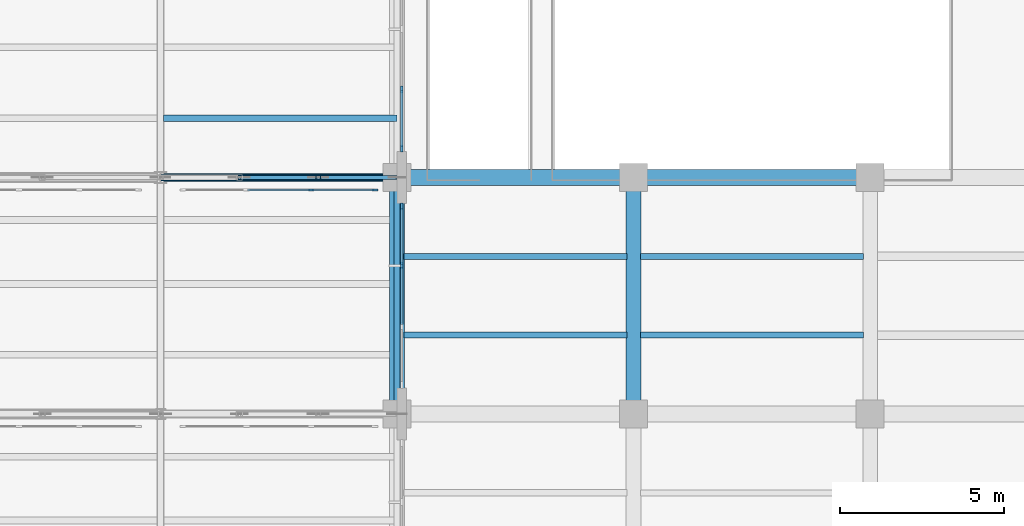
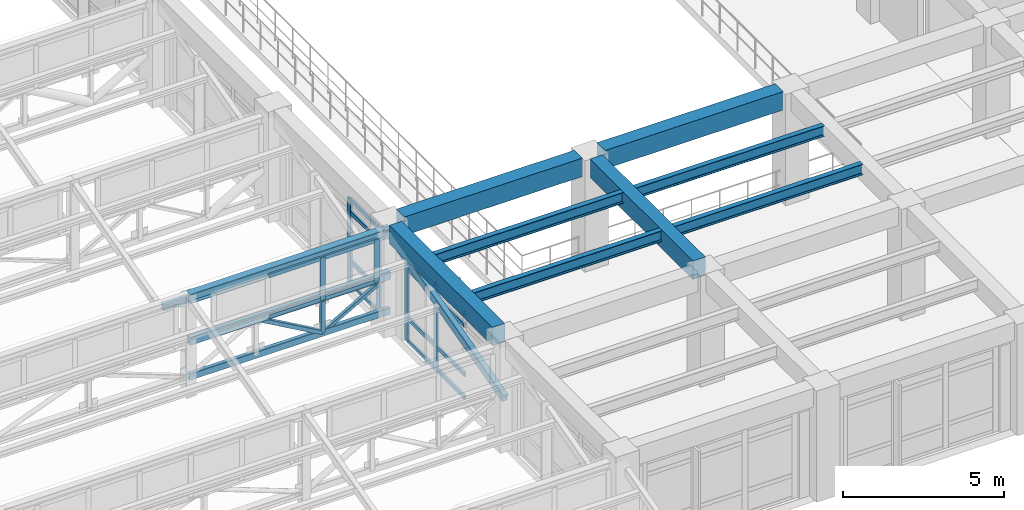
# One storey, part 26 of 98: 27 members, 11 beams, 3 elements without a shape of their own.
"""IFC4 building model written with IfcOpenShell, lengths in metres."""

from ifc_helpers import new_model, si_unit, direction, frame, origin, origin_2d, place, context, subcontext, project, spatial, rectangle, hollow_rectangle, i_section, extrude, material, layer, layer_set, material_profile, profile_set, type_object, element, aggregate, save


model = new_model("IFC4")

# Units and contexts
model_context = context("Model", 3, precision=1e-05, world=origin(), true_north=direction((0.0, 1.0)))
body_context = subcontext(model_context, "Body", "Model", "MODEL_VIEW")
ifc_project = project(units=[si_unit("LENGTHUNIT", "METRE"), si_unit("AREAUNIT", "SQUARE_METRE"), si_unit("VOLUMEUNIT", "CUBIC_METRE"), si_unit("PLANEANGLEUNIT", "RADIAN"), si_unit("MASSUNIT", "GRAM", prefix="KILO")], contexts=[model_context])

# Site, building, storey
site_placement = place(None, origin())
site = spatial("IfcSite", under=ifc_project, at=site_placement, CompositionType="ELEMENT")
building_placement = place(site_placement, origin())
building = spatial("IfcBuilding", under=site, at=building_placement, Name="Solenvale Faculty of Natural Sciences", CompositionType="ELEMENT")
storey_placement = place(building_placement, frame((0.0, 0.0, 9.0)))
storey = spatial("IfcBuildingStorey", under=building, at=storey_placement, Name="L02", CompositionType="ELEMENT", Elevation=9.0)

# Beams
ifc_material_1 = material(Name="Steel S355", Category="steel")
ifc_material_profile_1 = material_profile(ifc_material_1, i_section(OverallWidth=0.202880859375, OverallDepth=0.202880859375, WebThickness=0.007080078125, FlangeThickness=0.010986328125, FilletRadius=0.010009765625, at=origin_2d()), Name="W200x46")
ifc_profile_set_1 = profile_set([ifc_material_profile_1], Name="Steel S355")
beam_type_1 = type_object("IfcBeamType", Name="BM-PRL-W200x46", PredefinedType="JOIST", material=ifc_profile_set_1)
beam_1_placement = place(storey_placement, frame((28.89599609375, 30.60009765625, 2.202392578125), z_axis=(1.0, 0.0, 0.0), x_axis=(0.0, 1.0, 0.0)))
element("IfcBeam", 1, at=beam_1_placement, inside=storey, type_object=beam_type_1, Name="V1 Sawtooth Purlin 5.2.1", PredefinedType="JOIST", context=body_context, shape_type="SweptSolid", body=[
    extrude(i_section(OverallWidth=0.202880859375, OverallDepth=0.202880859375, WebThickness=0.007080078125, FlangeThickness=0.010986328125, FilletRadius=0.010009765625, at=origin_2d()), origin(), (0.0, 0.0, 1.0), 7.10400390625),
])
ifc_material_profile_2 = material_profile(ifc_material_1, hollow_rectangle(XDim=0.202880859375, YDim=0.304931640625, WallThickness=0.0126953125, InnerFilletRadius=0.0126953125, OuterFilletRadius=0.025390625, at=origin_2d()), Name="HSS305x203x13")
ifc_profile_set_2 = profile_set([ifc_material_profile_2], Name="Steel S355")
beam_type_2 = type_object("IfcBeamType", Name="BM-RAF-HSS305", PredefinedType="BEAM", material=ifc_profile_set_2)
beam_2_placement = place(storey_placement, frame((36.0, 21.60009765625, 1.719970703125), z_axis=(0.0, 0.965901991803, 0.258907980238), x_axis=(-1.0, 0.0, 0.0)))
element("IfcBeam", 2, at=beam_2_placement, inside=storey, type_object=beam_type_2, Name="V1 Sawtooth End Rafter 4.2.E", PredefinedType="BEAM", context=body_context, shape_type="SweptSolid", body=[
    extrude(hollow_rectangle(XDim=0.202880859375, YDim=0.304931640625, WallThickness=0.0126953125, InnerFilletRadius=0.0126953125, OuterFilletRadius=0.025390625, at=origin_2d()), origin(), (0.0, 0.0, 1.0), 7.4541015625),
])
ifc_material_2 = material(Name="Concrete 40 MPa", Category="concrete")
ifc_material_profile_3 = material_profile(ifc_material_2, rectangle(XDim=0.449951171875, YDim=0.699951171875, at=origin_2d()), Name="RC-BM-450x700")
ifc_profile_set_3 = profile_set([ifc_material_profile_3], Name="Concrete 40 MPa")
beam_type_3 = type_object("IfcBeamType", Name="BM-RC-450x700", PredefinedType="BEAM", material=ifc_profile_set_3)
for number, where, z_axis, x_axis, name in (
    (3, (36.0, 22.0048828125, 3.8701171875), (0.0, 1.0, 0.0), (-1.0, 0.0, 0.0), "L02 Y-Girder X36.0 (21.6..28.8)"),
    (4, (43.199951171875, 22.0048828125, 3.8701171875), (0.0, 1.0, 0.0), (-1.0, 0.0, 0.0), "L02 Y-Girder X43.2 (21.6..28.8)"),
):
    element("IfcBeam", number, at=place(storey_placement, frame(where, z_axis=z_axis, x_axis=x_axis)), inside=storey, type_object=beam_type_3, Name=name, PredefinedType="BEAM", context=body_context, shape_type="SweptSolid", body=[
        extrude(rectangle(XDim=0.449951171875, YDim=0.699951171875, at=origin_2d()), origin(), (0.0, 0.0, 1.0), 6.39013671875),
    ])
ifc_material_profile_4 = material_profile(ifc_material_2, rectangle(XDim=0.5, YDim=0.699951171875, at=origin_2d()), Name="RC-BM-500x700")
ifc_profile_set_4 = profile_set([ifc_material_profile_4], Name="Concrete 40 MPa")
beam_type_4 = type_object("IfcBeamType", Name="BM-RC-500x700", PredefinedType="BEAM", material=ifc_profile_set_4)
beam_3_placement = place(storey_placement, frame((36.405029296875, 28.800048828125, 3.8701171875), z_axis=(1.0, 0.0, 0.0), x_axis=(0.0, 1.0, 0.0)))
element("IfcBeam", 5, at=beam_3_placement, inside=storey, type_object=beam_type_4, Name="L02 X-Girder Y28.8 (36.0..43.2)", PredefinedType="BEAM", context=body_context, shape_type="SweptSolid", body=[
    extrude(rectangle(XDim=0.5, YDim=0.699951171875, at=origin_2d()), origin(), (0.0, 0.0, 1.0), 6.389892578125),
])
beam_4_placement = place(storey_placement, frame((43.60498046875, 28.800048828125, 3.8701171875), z_axis=(1.0, 0.0, 0.0), x_axis=(0.0, 1.0, 0.0)))
element("IfcBeam", 6, at=beam_4_placement, inside=storey, type_object=beam_type_4, Name="L02 X-Girder Y28.8 (43.2..50.4)", PredefinedType="BEAM", context=body_context, shape_type="SweptSolid", body=[
    extrude(rectangle(XDim=0.5, YDim=0.699951171875, at=origin_2d()), origin(), (0.0, 0.0, 1.0), 6.39013671875),
])
ifc_material_profile_5 = material_profile(ifc_material_1, i_section(OverallWidth=0.2548828125, OverallDepth=0.35693359375, WebThickness=0.010498046875, FlangeThickness=0.018310546875, FilletRadius=0.014892578125, at=origin_2d()), Name="W360x101")
ifc_profile_set_5 = profile_set([ifc_material_profile_5], Name="Steel S355")
beam_type_5 = type_object("IfcBeamType", Name="BM-STL-W360x101", PredefinedType="JOIST", material=ifc_profile_set_5)
beam_5_placement = place(storey_placement, frame((28.800048828125, 28.800048828125, 3.68896484375), z_axis=(1.0, 0.0, 0.0), x_axis=(0.0, 1.0, 0.0)))
element("IfcBeam", 7, at=beam_5_placement, inside=storey, type_object=beam_type_5, Name="V1 Sawtooth Clerestory Ridge Beam 4.2", PredefinedType="JOIST", context=body_context, shape_type="SweptSolid", body=[
    extrude(i_section(OverallWidth=0.2548828125, OverallDepth=0.35693359375, WebThickness=0.010498046875, FlangeThickness=0.018310546875, FilletRadius=0.014892578125, at=origin_2d()), origin(), (0.0, 0.0, 1.0), 7.199951171875),
])
ifc_material_profile_6 = material_profile(ifc_material_1, i_section(OverallWidth=0.178955078125, OverallDepth=0.409912109375, WebThickness=0.0087890625, FlangeThickness=0.014404296875, FilletRadius=0.01611328125, at=origin_2d()), Name="W410x67")
ifc_profile_set_6 = profile_set([ifc_material_profile_6], Name="Steel S355")
beam_type_6 = type_object("IfcBeamType", Name="BM-STL-W410x67", PredefinedType="JOIST", material=ifc_profile_set_6)
for number, where, z_axis, x_axis, name in (
    (8, (43.405029296875, 24.0, 4.014892578125), (1.0, 0.0, 0.0), (0.0, 1.0, 0.0), "L02 Composite Floor Joist (7,4).1"),
    (9, (43.405029296875, 26.39990234375, 4.014892578125), (1.0, 0.0, 0.0), (0.0, 1.0, 0.0), "L02 Composite Floor Joist (7,4).2"),
):
    element("IfcBeam", number, at=place(storey_placement, frame(where, z_axis=z_axis, x_axis=x_axis)), inside=storey, type_object=beam_type_6, Name=name, PredefinedType="JOIST", context=body_context, shape_type="SweptSolid", body=[
        extrude(i_section(OverallWidth=0.178955078125, OverallDepth=0.409912109375, WebThickness=0.0087890625, FlangeThickness=0.014404296875, FilletRadius=0.01611328125, at=origin_2d()), origin(), (0.0, 0.0, 1.0), 6.7900390625),
    ])
ifc_material_profile_7 = material_profile(ifc_material_1, i_section(OverallWidth=0.180908203125, OverallDepth=0.4169921875, WebThickness=0.010986328125, FlangeThickness=0.018310546875, FilletRadius=0.01611328125, at=origin_2d()), Name="W410x85")
ifc_profile_set_7 = profile_set([ifc_material_profile_7], Name="Steel S355")
beam_type_7 = type_object("IfcBeamType", Name="BM-STL-W410x85", PredefinedType="JOIST", material=ifc_profile_set_7)
for number, where, z_axis, x_axis, name in (
    (10, (36.205078125, 24.0, 4.011474609375), (1.0, 0.0, 0.0), (0.0, 1.0, 0.0), "L02 Composite Floor Joist (6,4).1"),
    (11, (36.205078125, 26.39990234375, 4.011474609375), (1.0, 0.0, 0.0), (0.0, 1.0, 0.0), "L02 Composite Floor Joist (6,4).2"),
):
    element("IfcBeam", number, at=place(storey_placement, frame(where, z_axis=z_axis, x_axis=x_axis)), inside=storey, type_object=beam_type_7, Name=name, PredefinedType="JOIST", context=body_context, shape_type="SweptSolid", body=[
        extrude(i_section(OverallWidth=0.180908203125, OverallDepth=0.4169921875, WebThickness=0.010986328125, FlangeThickness=0.018310546875, FilletRadius=0.01611328125, at=origin_2d()), origin(), (0.0, 0.0, 1.0), 6.7900390625),
    ])

# Curtain wall, members
ifc_material_3 = material(Name="Anodised bronze aluminium", Category="aluminium")
ifc_layer_1 = layer(ifc_material_3, 0.1650390625)
ifc_layer_set_1 = layer_set([ifc_layer_1], Name="Anodised bronze aluminium")
curtain_wall_type_1 = type_object("IfcCurtainWallType", Name="CW-SAW-CLR", PredefinedType="USERDEFINED", material=ifc_layer_set_1)
curtain_wall_1_placement = place(storey_placement, origin())
curtain_wall_1 = element("IfcCurtainWall", 12, at=curtain_wall_1_placement, inside=storey, type_object=curtain_wall_type_1, Name="L02 Curtain Wall SAW-V1-CW-4-2", ObjectType="NORTH LIGHT CLERESTORY", PredefinedType="USERDEFINED")
ifc_material_profile_8 = material_profile(ifc_material_3, rectangle(XDim=0.06494140625, YDim=0.175048828125, at=origin_2d()), Name="ALU-MUL-65x175")
ifc_profile_set_8 = profile_set([ifc_material_profile_8], Name="Anodised bronze aluminium")
member_type_1 = type_object("IfcMemberType", Name="CWM-ALU-65x175", PredefinedType="MULLION", material=ifc_profile_set_8)
member_1_placement = place(storey_placement, frame((35.327392578125, 28.419921875, 2.22998046875), z_axis=(0.0, 0.0, 1.0), x_axis=(0.0, -1.0, 0.0)))
member_1 = element("IfcMember", 13, at=member_1_placement, type_object=member_type_1, Name="CW-05 mullion 1", PredefinedType="MULLION", context=body_context, shape_type="SweptSolid", body=[
    extrude(rectangle(XDim=0.06494140625, YDim=0.175048828125, at=origin_2d()), origin(), (0.0, 0.0, 1.0), 1.610107421875),
])
member_2_placement = place(storey_placement, frame((33.38671875, 28.419921875, 2.22998046875), z_axis=(0.0, 0.0, 1.0), x_axis=(0.0, -1.0, 0.0)))
member_2 = element("IfcMember", 14, at=member_2_placement, type_object=member_type_1, Name="CW-05 mullion 2", PredefinedType="MULLION", context=body_context, shape_type="SweptSolid", body=[
    extrude(rectangle(XDim=0.06494140625, YDim=0.175048828125, at=origin_2d()), origin(), (0.0, 0.0, 1.0), 1.610107421875),
])

ifc_layer_2 = layer(ifc_material_3, 0.215087890625)
ifc_layer_set_2 = layer_set([ifc_layer_2], Name="Anodised bronze aluminium")
curtain_wall_type_2 = type_object("IfcCurtainWallType", Name="CW-ATR-UNIT", PredefinedType="USERDEFINED", material=ifc_layer_set_2)
curtain_wall_2_placement = place(storey_placement, origin())
curtain_wall_2 = element("IfcCurtainWall", 15, at=curtain_wall_2_placement, inside=storey, type_object=curtain_wall_type_2, Name="L02 Curtain Wall CW-L02-P1-E9-B9", ObjectType="UNITISED CURTAIN WALL", PredefinedType="USERDEFINED")
ifc_material_profile_9 = material_profile(ifc_material_3, rectangle(XDim=0.074951171875, YDim=0.2099609375, at=origin_2d()), Name="ALU-MUL-75x210")
ifc_profile_set_9 = profile_set([ifc_material_profile_9], Name="Anodised bronze aluminium")
member_type_2 = type_object("IfcMemberType", Name="CWM-ALU-75x210", PredefinedType="MULLION", material=ifc_profile_set_9)
member_3_placement = place(storey_placement, frame((36.142578125, 31.4833984375, 0.0), z_axis=(0.0, 0.0, 1.0), x_axis=(1.0, 0.0, 0.0)))
member_3 = element("IfcMember", 16, at=member_3_placement, type_object=member_type_2, Name="CW-01 mullion 3", PredefinedType="MULLION", context=body_context, shape_type="SweptSolid", body=[
    extrude(rectangle(XDim=0.074951171875, YDim=0.2099609375, at=origin_2d()), origin(), (0.0, 0.0, 1.0), 3.260009765625),
])
member_4_placement = place(storey_placement, frame((36.142578125, 29.6875, 0.0), z_axis=(0.0, 0.0, 1.0), x_axis=(1.0, 0.0, 0.0)))
member_4 = element("IfcMember", 17, at=member_4_placement, type_object=member_type_2, Name="CW-01 mullion 4", PredefinedType="MULLION", context=body_context, shape_type="SweptSolid", body=[
    extrude(rectangle(XDim=0.074951171875, YDim=0.2099609375, at=origin_2d()), origin(), (0.0, 0.0, 1.0), 3.260009765625),
])

curtain_wall_3_placement = place(storey_placement, origin())
curtain_wall_3 = element("IfcCurtainWall", 18, at=curtain_wall_3_placement, inside=storey, type_object=curtain_wall_type_2, Name="L02 Curtain Wall CW-L02-P1-E9-B10", ObjectType="UNITISED CURTAIN WALL", PredefinedType="USERDEFINED")
member_5_placement = place(storey_placement, frame((36.142578125, 27.91259765625, 0.0), z_axis=(0.0, 0.0, 1.0), x_axis=(1.0, 0.0, 0.0)))
member_5 = element("IfcMember", 19, at=member_5_placement, type_object=member_type_2, Name="CW-01 mullion 1", PredefinedType="MULLION", context=body_context, shape_type="SweptSolid", body=[
    extrude(rectangle(XDim=0.074951171875, YDim=0.2099609375, at=origin_2d()), origin(), (0.0, 0.0, 1.0), 3.260009765625),
])
member_6_placement = place(storey_placement, frame((36.142578125, 26.11669921875, 0.0), z_axis=(0.0, 0.0, 1.0), x_axis=(1.0, 0.0, 0.0)))
member_6 = element("IfcMember", 20, at=member_6_placement, type_object=member_type_2, Name="CW-01 mullion 2", PredefinedType="MULLION", context=body_context, shape_type="SweptSolid", body=[
    extrude(rectangle(XDim=0.074951171875, YDim=0.2099609375, at=origin_2d()), origin(), (0.0, 0.0, 1.0), 3.260009765625),
])

# Member
ifc_material_profile_10 = material_profile(ifc_material_3, rectangle(XDim=0.06494140625, YDim=0.135009765625, at=origin_2d()), Name="ALU-TRN-65x135")
ifc_profile_set_10 = profile_set([ifc_material_profile_10], Name="Anodised bronze aluminium")
member_type_3 = type_object("IfcMemberType", Name="CWT-ALU-65x135", PredefinedType="USERDEFINED", material=ifc_profile_set_10)
member_7_placement = place(storey_placement, frame((35.294921875, 28.419921875, 2.262451171875), z_axis=(-1.0, 0.0, 0.0), x_axis=(0.0, -1.0, 0.0)))
member_7 = element("IfcMember", 21, at=member_7_placement, type_object=member_type_3, Name="CW-05 transom 1.1", ObjectType="TRANSOM", PredefinedType="USERDEFINED", context=body_context, shape_type="SweptSolid", body=[
    extrude(rectangle(XDim=0.06494140625, YDim=0.135009765625, at=origin_2d()), origin(), (0.0, 0.0, 1.0), 1.875732421875),
])

member_8_placement = place(storey_placement, frame((35.294921875, 28.419921875, 3.8076171875), z_axis=(-1.0, 0.0, 0.0), x_axis=(0.0, -1.0, 0.0)))
member_8 = element("IfcMember", 22, at=member_8_placement, type_object=member_type_3, Name="CW-05 transom 1.2", ObjectType="TRANSOM", PredefinedType="USERDEFINED", context=body_context, shape_type="SweptSolid", body=[
    extrude(rectangle(XDim=0.06494140625, YDim=0.135009765625, at=origin_2d()), origin(), (0.0, 0.0, 1.0), 1.875732421875),
])

member_9_placement = place(storey_placement, frame((33.354248046875, 28.419921875, 2.262451171875), z_axis=(-1.0, 0.0, 0.0), x_axis=(0.0, -1.0, 0.0)))
member_9 = element("IfcMember", 23, at=member_9_placement, type_object=member_type_3, Name="CW-05 transom 2.1", ObjectType="TRANSOM", PredefinedType="USERDEFINED", context=body_context, shape_type="SweptSolid", body=[
    extrude(rectangle(XDim=0.06494140625, YDim=0.135009765625, at=origin_2d()), origin(), (0.0, 0.0, 1.0), 1.908447265625),
])

member_10_placement = place(storey_placement, frame((33.354248046875, 28.419921875, 3.8076171875), z_axis=(-1.0, 0.0, 0.0), x_axis=(0.0, -1.0, 0.0)))
member_10 = element("IfcMember", 24, at=member_10_placement, type_object=member_type_3, Name="CW-05 transom 2.2", ObjectType="TRANSOM", PredefinedType="USERDEFINED", context=body_context, shape_type="SweptSolid", body=[
    extrude(rectangle(XDim=0.06494140625, YDim=0.135009765625, at=origin_2d()), origin(), (0.0, 0.0, 1.0), 1.908447265625),
])

aggregate(curtain_wall_1, [member_1, member_2, member_7, member_8, member_9, member_10])

ifc_material_profile_11 = material_profile(ifc_material_3, rectangle(XDim=0.074951171875, YDim=0.155029296875, at=origin_2d()), Name="ALU-TRN-75x155")
ifc_profile_set_11 = profile_set([ifc_material_profile_11], Name="Anodised bronze aluminium")
member_type_4 = type_object("IfcMemberType", Name="CWT-ALU-75x155", PredefinedType="USERDEFINED", material=ifc_profile_set_11)
member_11_placement = place(storey_placement, frame((36.142578125, 31.44580078125, 0.03759765625), z_axis=(0.0, -1.0, 0.0), x_axis=(1.0, 0.0, 0.0)))
member_11 = element("IfcMember", 25, at=member_11_placement, type_object=member_type_4, Name="CW-01 transom 3.1", ObjectType="TRANSOM", PredefinedType="USERDEFINED", context=body_context, shape_type="SweptSolid", body=[
    extrude(rectangle(XDim=0.074951171875, YDim=0.155029296875, at=origin_2d()), origin(), (0.0, 0.0, 1.0), 1.720703125),
])

member_12_placement = place(storey_placement, frame((36.142578125, 31.44580078125, 0.89990234375), z_axis=(0.0, -1.0, 0.0), x_axis=(1.0, 0.0, 0.0)))
member_12 = element("IfcMember", 26, at=member_12_placement, type_object=member_type_4, Name="CW-01 transom 3.2", ObjectType="TRANSOM", PredefinedType="USERDEFINED", context=body_context, shape_type="SweptSolid", body=[
    extrude(rectangle(XDim=0.074951171875, YDim=0.155029296875, at=origin_2d()), origin(), (0.0, 0.0, 1.0), 1.720703125),
])

member_13_placement = place(storey_placement, frame((36.142578125, 31.44580078125, 2.760009765625), z_axis=(0.0, -1.0, 0.0), x_axis=(1.0, 0.0, 0.0)))
member_13 = element("IfcMember", 27, at=member_13_placement, type_object=member_type_4, Name="CW-01 transom 3.3", ObjectType="TRANSOM", PredefinedType="USERDEFINED", context=body_context, shape_type="SweptSolid", body=[
    extrude(rectangle(XDim=0.074951171875, YDim=0.155029296875, at=origin_2d()), origin(), (0.0, 0.0, 1.0), 1.720703125),
])

member_14_placement = place(storey_placement, frame((36.142578125, 31.44580078125, 3.222412109375), z_axis=(0.0, -1.0, 0.0), x_axis=(1.0, 0.0, 0.0)))
member_14 = element("IfcMember", 28, at=member_14_placement, type_object=member_type_4, Name="CW-01 transom 3.4", ObjectType="TRANSOM", PredefinedType="USERDEFINED", context=body_context, shape_type="SweptSolid", body=[
    extrude(rectangle(XDim=0.074951171875, YDim=0.155029296875, at=origin_2d()), origin(), (0.0, 0.0, 1.0), 1.720703125),
])

aggregate(curtain_wall_2, [member_3, member_4, member_11, member_12, member_13, member_14])

member_15_placement = place(storey_placement, frame((36.142578125, 27.875, 0.03759765625), z_axis=(0.0, -1.0, 0.0), x_axis=(1.0, 0.0, 0.0)))
member_15 = element("IfcMember", 29, at=member_15_placement, type_object=member_type_4, Name="CW-01 transom 1.1", ObjectType="TRANSOM", PredefinedType="USERDEFINED", context=body_context, shape_type="SweptSolid", body=[
    extrude(rectangle(XDim=0.074951171875, YDim=0.155029296875, at=origin_2d()), origin(), (0.0, 0.0, 1.0), 1.720947265625),
])

member_16_placement = place(storey_placement, frame((36.142578125, 27.875, 0.89990234375), z_axis=(0.0, -1.0, 0.0), x_axis=(1.0, 0.0, 0.0)))
member_16 = element("IfcMember", 30, at=member_16_placement, type_object=member_type_4, Name="CW-01 transom 1.2", ObjectType="TRANSOM", PredefinedType="USERDEFINED", context=body_context, shape_type="SweptSolid", body=[
    extrude(rectangle(XDim=0.074951171875, YDim=0.155029296875, at=origin_2d()), origin(), (0.0, 0.0, 1.0), 1.720947265625),
])

member_17_placement = place(storey_placement, frame((36.142578125, 27.875, 2.760009765625), z_axis=(0.0, -1.0, 0.0), x_axis=(1.0, 0.0, 0.0)))
member_17 = element("IfcMember", 31, at=member_17_placement, type_object=member_type_4, Name="CW-01 transom 1.3", ObjectType="TRANSOM", PredefinedType="USERDEFINED", context=body_context, shape_type="SweptSolid", body=[
    extrude(rectangle(XDim=0.074951171875, YDim=0.155029296875, at=origin_2d()), origin(), (0.0, 0.0, 1.0), 1.720947265625),
])

member_18_placement = place(storey_placement, frame((36.142578125, 27.875, 3.222412109375), z_axis=(0.0, -1.0, 0.0), x_axis=(1.0, 0.0, 0.0)))
member_18 = element("IfcMember", 32, at=member_18_placement, type_object=member_type_4, Name="CW-01 transom 1.4", ObjectType="TRANSOM", PredefinedType="USERDEFINED", context=body_context, shape_type="SweptSolid", body=[
    extrude(rectangle(XDim=0.074951171875, YDim=0.155029296875, at=origin_2d()), origin(), (0.0, 0.0, 1.0), 1.720947265625),
])

member_19_placement = place(storey_placement, frame((36.142578125, 26.0791015625, 0.03759765625), z_axis=(0.0, -1.0, 0.0), x_axis=(1.0, 0.0, 0.0)))
member_19 = element("IfcMember", 33, at=member_19_placement, type_object=member_type_4, Name="CW-01 transom 2.1", ObjectType="TRANSOM", PredefinedType="USERDEFINED", context=body_context, shape_type="SweptSolid", body=[
    extrude(rectangle(XDim=0.074951171875, YDim=0.155029296875, at=origin_2d()), origin(), (0.0, 0.0, 1.0), 1.75830078125),
])

member_20_placement = place(storey_placement, frame((36.142578125, 26.0791015625, 0.89990234375), z_axis=(0.0, -1.0, 0.0), x_axis=(1.0, 0.0, 0.0)))
member_20 = element("IfcMember", 34, at=member_20_placement, type_object=member_type_4, Name="CW-01 transom 2.2", ObjectType="TRANSOM", PredefinedType="USERDEFINED", context=body_context, shape_type="SweptSolid", body=[
    extrude(rectangle(XDim=0.074951171875, YDim=0.155029296875, at=origin_2d()), origin(), (0.0, 0.0, 1.0), 1.75830078125),
])

member_21_placement = place(storey_placement, frame((36.142578125, 26.0791015625, 2.760009765625), z_axis=(0.0, -1.0, 0.0), x_axis=(1.0, 0.0, 0.0)))
member_21 = element("IfcMember", 35, at=member_21_placement, type_object=member_type_4, Name="CW-01 transom 2.3", ObjectType="TRANSOM", PredefinedType="USERDEFINED", context=body_context, shape_type="SweptSolid", body=[
    extrude(rectangle(XDim=0.074951171875, YDim=0.155029296875, at=origin_2d()), origin(), (0.0, 0.0, 1.0), 1.75830078125),
])

member_22_placement = place(storey_placement, frame((36.142578125, 26.0791015625, 3.222412109375), z_axis=(0.0, -1.0, 0.0), x_axis=(1.0, 0.0, 0.0)))
member_22 = element("IfcMember", 36, at=member_22_placement, type_object=member_type_4, Name="CW-01 transom 2.4", ObjectType="TRANSOM", PredefinedType="USERDEFINED", context=body_context, shape_type="SweptSolid", body=[
    extrude(rectangle(XDim=0.074951171875, YDim=0.155029296875, at=origin_2d()), origin(), (0.0, 0.0, 1.0), 1.75830078125),
])

aggregate(curtain_wall_3, [member_5, member_6, member_15, member_16, member_17, member_18, member_19, member_20, member_21, member_22])

# Members
ifc_material_profile_12 = material_profile(ifc_material_1, hollow_rectangle(XDim=0.126953125, YDim=0.126953125, WallThickness=0.008056640625, InnerFilletRadius=0.008056640625, OuterFilletRadius=0.01611328125, at=origin_2d()), Name="HSS127x127x8.0")
ifc_profile_set_12 = profile_set([ifc_material_profile_12], Name="Steel S355")
member_type_5 = type_object("IfcMemberType", Name="MB-BRC-HSS127", PredefinedType="BRACE", material=ifc_profile_set_12)
member_23_placement = place(storey_placement, frame((33.60009765625, 28.800048828125, 0.68994140625), z_axis=(0.869996876503, 0.0, 0.493057232859), x_axis=(0.0, 1.0, 0.0)))
element("IfcMember", 37, at=member_23_placement, inside=storey, type_object=member_type_5, Name="V1 Truss 4.2 Diagonal 3", PredefinedType="BRACE", context=body_context, shape_type="SweptSolid", body=[
    extrude(hollow_rectangle(XDim=0.126953125, YDim=0.126953125, WallThickness=0.008056640625, InnerFilletRadius=0.008056640625, OuterFilletRadius=0.01611328125, at=origin_2d()), origin(), (0.0, 0.0, 1.0), 2.758544921875),
])
ifc_material_profile_13 = material_profile(ifc_material_1, hollow_rectangle(XDim=0.152099609375, YDim=0.152099609375, WallThickness=0.009521484375, InnerFilletRadius=0.009521484375, OuterFilletRadius=0.01904296875, at=origin_2d()), Name="HSS152x152x9.5")
ifc_profile_set_13 = profile_set([ifc_material_profile_13], Name="Steel S355")
member_type_6 = type_object("IfcMemberType", Name="MB-BRC-HSS152", PredefinedType="BRACE", material=ifc_profile_set_13)
member_24_placement = place(storey_placement, frame((31.199951171875, 28.800048828125, 2.050048828125), z_axis=(0.870018389885, 0.0, -0.49301927068), x_axis=(0.0, 1.0, 0.0)))
element("IfcMember", 38, at=member_24_placement, inside=storey, type_object=member_type_6, Name="V1 Truss 4.2 Diagonal 2", PredefinedType="BRACE", context=body_context, shape_type="SweptSolid", body=[
    extrude(hollow_rectangle(XDim=0.152099609375, YDim=0.152099609375, WallThickness=0.009521484375, InnerFilletRadius=0.009521484375, OuterFilletRadius=0.01904296875, at=origin_2d()), origin(), (0.0, 0.0, 1.0), 2.7587890625),
])
ifc_material_profile_14 = material_profile(ifc_material_1, hollow_rectangle(XDim=0.152099609375, YDim=0.25390625, WallThickness=0.010986328125, InnerFilletRadius=0.010986328125, OuterFilletRadius=0.022216796875, at=origin_2d()), Name="HSS254x152x11")
ifc_profile_set_14 = profile_set([ifc_material_profile_14], Name="Steel S355")
member_type_7 = type_object("IfcMemberType", Name="MB-CHD-HSS254", PredefinedType="CHORD", material=ifc_profile_set_14)
member_25_placement = place(storey_placement, frame((28.800048828125, 28.800048828125, 0.68994140625), z_axis=(1.0, 0.0, 0.0), x_axis=(0.0, 1.0, 0.0)))
element("IfcMember", 39, at=member_25_placement, inside=storey, type_object=member_type_7, Name="V1 Truss 4.2 Bottom Chord", PredefinedType="CHORD", context=body_context, shape_type="SweptSolid", body=[
    extrude(hollow_rectangle(XDim=0.152099609375, YDim=0.25390625, WallThickness=0.010986328125, InnerFilletRadius=0.010986328125, OuterFilletRadius=0.022216796875, at=origin_2d()), origin(), (0.0, 0.0, 1.0), 7.199951171875),
])
ifc_material_profile_15 = material_profile(ifc_material_1, hollow_rectangle(XDim=0.202880859375, YDim=0.304931640625, WallThickness=0.0126953125, InnerFilletRadius=0.0126953125, OuterFilletRadius=0.025390625, at=origin_2d()), Name="HSS305x203x13")
ifc_profile_set_15 = profile_set([ifc_material_profile_15], Name="Steel S355")
member_type_8 = type_object("IfcMemberType", Name="MB-CHD-HSS305", PredefinedType="CHORD", material=ifc_profile_set_15)
member_26_placement = place(storey_placement, frame((28.800048828125, 28.800048828125, 2.050048828125), z_axis=(1.0, 0.0, 0.0), x_axis=(0.0, 1.0, 0.0)))
element("IfcMember", 40, at=member_26_placement, inside=storey, type_object=member_type_8, Name="V1 Truss 4.2 Top Chord", PredefinedType="CHORD", context=body_context, shape_type="SweptSolid", body=[
    extrude(hollow_rectangle(XDim=0.202880859375, YDim=0.304931640625, WallThickness=0.0126953125, InnerFilletRadius=0.0126953125, OuterFilletRadius=0.025390625, at=origin_2d()), origin(), (0.0, 0.0, 1.0), 7.199951171875),
])
ifc_material_profile_16 = material_profile(ifc_material_1, hollow_rectangle(XDim=0.152099609375, YDim=0.152099609375, WallThickness=0.009521484375, InnerFilletRadius=0.009521484375, OuterFilletRadius=0.01904296875, at=origin_2d()), Name="HSS152x152x9.5")
ifc_profile_set_16 = profile_set([ifc_material_profile_16], Name="Steel S355")
member_type_9 = type_object("IfcMemberType", Name="MB-STR-HSS152", PredefinedType="STRUT", material=ifc_profile_set_16)
member_27_placement = place(storey_placement, frame((33.60009765625, 28.800048828125, 0.68994140625), z_axis=(0.0, 0.0, 1.0), x_axis=(1.0, 0.0, 0.0)))
element("IfcMember", 41, at=member_27_placement, inside=storey, type_object=member_type_9, Name="V1 Truss 4.2 Strut 2", PredefinedType="STRUT", context=body_context, shape_type="SweptSolid", body=[
    extrude(hollow_rectangle(XDim=0.152099609375, YDim=0.152099609375, WallThickness=0.009521484375, InnerFilletRadius=0.009521484375, OuterFilletRadius=0.01904296875, at=origin_2d()), origin(), (0.0, 0.0, 1.0), 1.360107421875),
])

save(model, "model.ifc")
